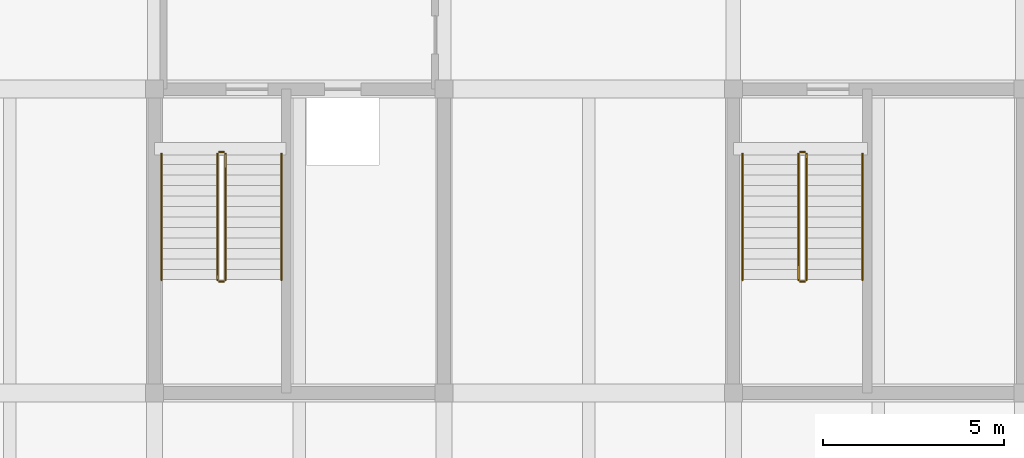
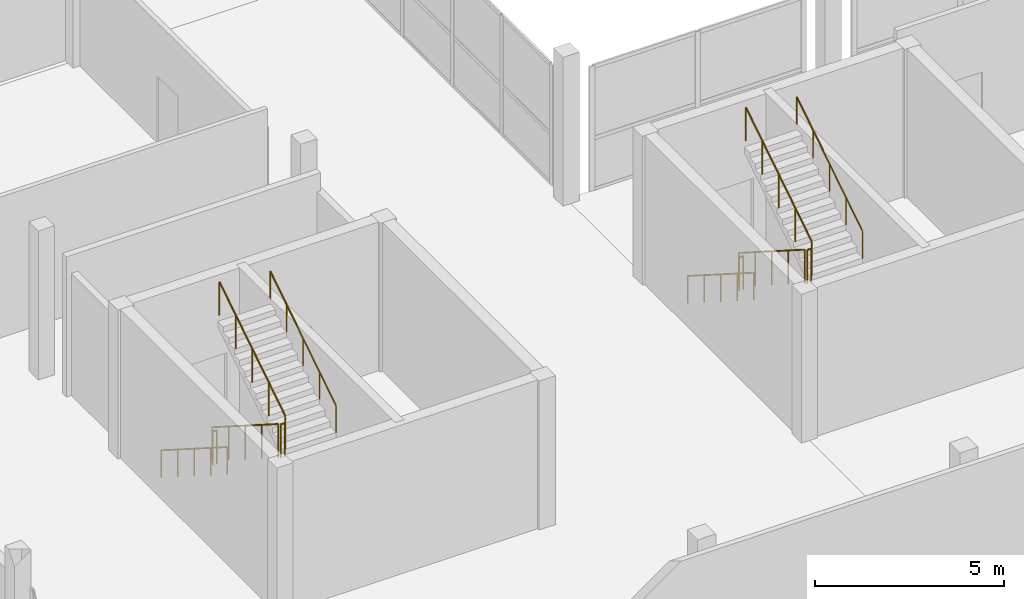
# One storey, part 43 of 47: 12 railings.
"""IFC4 building model written with IfcOpenShell, lengths in metres."""

from ifc_helpers import new_model, si_unit, direction, frame, origin, origin_2d, place, context, subcontext, project, spatial, circle, extrude, material, type_object, element, save


model = new_model("IFC4")

# Units and contexts
model_context = context("Model", 3, precision=1e-05, world=origin(), true_north=direction((0.0, 1.0)))
body_context = subcontext(model_context, "Body", "Model", "MODEL_VIEW")
ifc_project = project(units=[si_unit("LENGTHUNIT", "METRE"), si_unit("AREAUNIT", "SQUARE_METRE"), si_unit("VOLUMEUNIT", "CUBIC_METRE"), si_unit("PLANEANGLEUNIT", "RADIAN"), si_unit("MASSUNIT", "GRAM", prefix="KILO")], contexts=[model_context])

# Site, building, storey
site_placement = place(None, origin())
site = spatial("IfcSite", under=ifc_project, at=site_placement, CompositionType="ELEMENT")
building_placement = place(site_placement, origin())
building = spatial("IfcBuilding", under=site, at=building_placement, Name="Vharandega Faculty of Natural Sciences", CompositionType="ELEMENT")
storey_placement = place(building_placement, frame((0.0, 0.0, 5.39990234375)))
storey = spatial("IfcBuildingStorey", under=building, at=storey_placement, Name="L01", CompositionType="ELEMENT", Elevation=5.39990234375)

# Railings
ifc_material_1 = material(Name="Brushed stainless steel handrail", Category="steel")
railing_type_1 = type_object("IfcRailingType", Name="Stair Tubular Handrail 900", PredefinedType="HANDRAIL", material=ifc_material_1)
railing_1_placement = place(storey_placement, frame((8.18994140625, 79.010009765625, 0.184814453125)))
element("IfcRailing", 1, at=railing_1_placement, inside=storey, type_object=railing_type_1, Name="L01 ST4 stair handrail 1", PredefinedType="HANDRAIL", context=body_context, shape_type="SweptSolid", body=[
    extrude(circle(Radius=0.02392578125, at=origin_2d()), frame((0.0, 0.0, 0.8759765625), z_axis=(0.0, -0.843573748531, 0.537013343214), x_axis=(1.0, 0.0, 0.0)), (0.0, 0.0, 1.0), 4.125244140625),
    extrude(circle(Radius=0.02099609375, at=origin_2d()), origin(), (0.0, 0.0, 1.0), 0.851806640625),
    extrude(circle(Radius=0.02099609375, at=origin_2d()), frame((0.0, -0.8701171875, 0.5537109375)), (0.0, 0.0, 1.0), 0.851806640625),
    extrude(circle(Radius=0.02099609375, at=origin_2d()), frame((0.0, -1.739990234375, 1.107666015625)), (0.0, 0.0, 1.0), 0.851806640625),
    extrude(circle(Radius=0.02099609375, at=origin_2d()), frame((0.0, -2.60986328125, 1.66162109375)), (0.0, 0.0, 1.0), 0.851806640625),
    extrude(circle(Radius=0.02099609375, at=origin_2d()), frame((0.0, -3.47998046875, 2.21533203125)), (0.0, 0.0, 1.0), 0.851806640625),
])
railing_2_placement = place(storey_placement, frame((11.510009765625, 75.530029296875, 2.584716796875)))
element("IfcRailing", 2, at=railing_2_placement, inside=storey, type_object=railing_type_1, Name="L01 ST4 stair handrail 2", PredefinedType="HANDRAIL", context=body_context, shape_type="SweptSolid", body=[
    extrude(circle(Radius=0.02392578125, at=origin_2d()), frame((0.0, 0.0, 0.8759765625), z_axis=(0.0, 0.843573748531, 0.537013343214), x_axis=(-1.0, 0.0, 0.0)), (0.0, 0.0, 1.0), 4.125244140625),
    extrude(circle(Radius=0.02099609375, at=origin_2d()), origin(), (0.0, 0.0, 1.0), 0.851806640625),
    extrude(circle(Radius=0.02099609375, at=origin_2d()), frame((0.0, 0.8701171875, 0.5537109375)), (0.0, 0.0, 1.0), 0.851806640625),
    extrude(circle(Radius=0.02099609375, at=origin_2d()), frame((0.0, 1.739990234375, 1.107666015625)), (0.0, 0.0, 1.0), 0.851806640625),
    extrude(circle(Radius=0.02099609375, at=origin_2d()), frame((0.0, 2.60986328125, 1.66162109375)), (0.0, 0.0, 1.0), 0.851806640625),
    extrude(circle(Radius=0.02099609375, at=origin_2d()), frame((0.0, 3.47998046875, 2.21533203125)), (0.0, 0.0, 1.0), 0.851806640625),
])
railing_3_placement = place(storey_placement, frame((24.25, 79.010009765625, 0.184814453125)))
element("IfcRailing", 3, at=railing_3_placement, inside=storey, type_object=railing_type_1, Name="L01 ST6 stair handrail 1", PredefinedType="HANDRAIL", context=body_context, shape_type="SweptSolid", body=[
    extrude(circle(Radius=0.02392578125, at=origin_2d()), frame((0.0, 0.0, 0.8759765625), z_axis=(0.0, -0.843573748531, 0.537013343214), x_axis=(1.0, 0.0, 0.0)), (0.0, 0.0, 1.0), 4.125244140625),
    extrude(circle(Radius=0.02099609375, at=origin_2d()), origin(), (0.0, 0.0, 1.0), 0.851806640625),
    extrude(circle(Radius=0.02099609375, at=origin_2d()), frame((0.0, -0.8701171875, 0.5537109375)), (0.0, 0.0, 1.0), 0.851806640625),
    extrude(circle(Radius=0.02099609375, at=origin_2d()), frame((0.0, -1.739990234375, 1.107666015625)), (0.0, 0.0, 1.0), 0.851806640625),
    extrude(circle(Radius=0.02099609375, at=origin_2d()), frame((0.0, -2.60986328125, 1.66162109375)), (0.0, 0.0, 1.0), 0.851806640625),
    extrude(circle(Radius=0.02099609375, at=origin_2d()), frame((0.0, -3.47998046875, 2.21533203125)), (0.0, 0.0, 1.0), 0.851806640625),
])
railing_4_placement = place(storey_placement, frame((27.570068359375, 75.530029296875, 2.584716796875)))
element("IfcRailing", 4, at=railing_4_placement, inside=storey, type_object=railing_type_1, Name="L01 ST6 stair handrail 2", PredefinedType="HANDRAIL", context=body_context, shape_type="SweptSolid", body=[
    extrude(circle(Radius=0.02392578125, at=origin_2d()), frame((0.0, 0.0, 0.8759765625), z_axis=(0.0, 0.843573748531, 0.537013343214), x_axis=(-1.0, 0.0, 0.0)), (0.0, 0.0, 1.0), 4.125244140625),
    extrude(circle(Radius=0.02099609375, at=origin_2d()), origin(), (0.0, 0.0, 1.0), 0.851806640625),
    extrude(circle(Radius=0.02099609375, at=origin_2d()), frame((0.0, 0.8701171875, 0.5537109375)), (0.0, 0.0, 1.0), 0.851806640625),
    extrude(circle(Radius=0.02099609375, at=origin_2d()), frame((0.0, 1.739990234375, 1.107666015625)), (0.0, 0.0, 1.0), 0.851806640625),
    extrude(circle(Radius=0.02099609375, at=origin_2d()), frame((0.0, 2.60986328125, 1.66162109375)), (0.0, 0.0, 1.0), 0.851806640625),
    extrude(circle(Radius=0.02099609375, at=origin_2d()), frame((0.0, 3.47998046875, 2.21533203125)), (0.0, 0.0, 1.0), 0.851806640625),
])
ifc_material_2 = material(Name="Painted steel stair guardrail", Category="steel")
railing_type_2 = type_object("IfcRailingType", Name="Stairwell Steel Guardrail 1100", PredefinedType="GUARDRAIL", material=ifc_material_2)
railing_5_placement = place(storey_placement, frame((9.739990234375, 79.010009765625, 0.184814453125)))
element("IfcRailing", 5, at=railing_5_placement, inside=storey, type_object=railing_type_2, Name="L01 ST4 stair guard 1", PredefinedType="GUARDRAIL", context=body_context, shape_type="SweptSolid", body=[
    extrude(circle(Radius=0.02392578125, at=origin_2d()), frame((0.0, 0.0, 1.076171875), z_axis=(0.0, -0.843573748531, 0.537013343214), x_axis=(1.0, 0.0, 0.0)), (0.0, 0.0, 1.0), 4.125244140625),
    extrude(circle(Radius=0.02099609375, at=origin_2d()), origin(), (0.0, 0.0, 1.0), 1.052001953125),
    extrude(circle(Radius=0.02099609375, at=origin_2d()), frame((0.0, -0.8701171875, 0.5537109375)), (0.0, 0.0, 1.0), 1.052001953125),
    extrude(circle(Radius=0.02099609375, at=origin_2d()), frame((0.0, -1.739990234375, 1.107666015625)), (0.0, 0.0, 1.0), 1.052001953125),
    extrude(circle(Radius=0.02099609375, at=origin_2d()), frame((0.0, -2.60986328125, 1.66162109375)), (0.0, 0.0, 1.0), 1.052001953125),
    extrude(circle(Radius=0.02099609375, at=origin_2d()), frame((0.0, -3.47998046875, 2.21533203125)), (0.0, 0.0, 1.0), 1.052001953125),
])
railing_6_placement = place(storey_placement, frame((9.7900390625, 75.47998046875, 2.400146484375)))
element("IfcRailing", 6, at=railing_6_placement, inside=storey, type_object=railing_type_2, Name="L01 ST4 stair guard 2", PredefinedType="GUARDRAIL", context=body_context, shape_type="SweptSolid", body=[
    extrude(circle(Radius=0.02392578125, at=origin_2d()), frame((0.0, 0.0, 1.076171875), z_axis=(1.0, 0.0, 0.0), x_axis=(0.0, 1.0, 0.0)), (0.0, 0.0, 1.0), 0.119873046875),
    extrude(circle(Radius=0.02099609375, at=origin_2d()), origin(), (0.0, 0.0, 1.0), 1.052001953125),
    extrude(circle(Radius=0.02099609375, at=origin_2d()), frame((0.119873046875, 0.0, 0.0)), (0.0, 0.0, 1.0), 1.052001953125),
])
railing_7_placement = place(storey_placement, frame((9.9599609375, 75.530029296875, 2.584716796875)))
element("IfcRailing", 7, at=railing_7_placement, inside=storey, type_object=railing_type_2, Name="L01 ST4 stair guard 3", PredefinedType="GUARDRAIL", context=body_context, shape_type="SweptSolid", body=[
    extrude(circle(Radius=0.02392578125, at=origin_2d()), frame((0.0, 0.0, 1.076171875), z_axis=(0.0, 0.843573748531, 0.537013343214), x_axis=(-1.0, 0.0, 0.0)), (0.0, 0.0, 1.0), 4.125244140625),
    extrude(circle(Radius=0.02099609375, at=origin_2d()), origin(), (0.0, 0.0, 1.0), 1.052001953125),
    extrude(circle(Radius=0.02099609375, at=origin_2d()), frame((0.0, 0.8701171875, 0.5537109375)), (0.0, 0.0, 1.0), 1.052001953125),
    extrude(circle(Radius=0.02099609375, at=origin_2d()), frame((0.0, 1.739990234375, 1.107666015625)), (0.0, 0.0, 1.0), 1.052001953125),
    extrude(circle(Radius=0.02099609375, at=origin_2d()), frame((0.0, 2.60986328125, 1.66162109375)), (0.0, 0.0, 1.0), 1.052001953125),
    extrude(circle(Radius=0.02099609375, at=origin_2d()), frame((0.0, 3.47998046875, 2.21533203125)), (0.0, 0.0, 1.0), 1.052001953125),
])
railing_8_placement = place(storey_placement, frame((9.7900390625, 79.06005859375, 0.0)))
element("IfcRailing", 8, at=railing_8_placement, inside=storey, type_object=railing_type_2, Name="L01 ST4 stair guard 4", PredefinedType="GUARDRAIL", context=body_context, shape_type="SweptSolid", body=[
    extrude(circle(Radius=0.02392578125, at=origin_2d()), frame((0.0, 0.0, 1.076171875), z_axis=(1.0, 0.0, 0.0), x_axis=(0.0, 1.0, 0.0)), (0.0, 0.0, 1.0), 0.119873046875),
    extrude(circle(Radius=0.02099609375, at=origin_2d()), origin(), (0.0, 0.0, 1.0), 1.052001953125),
    extrude(circle(Radius=0.02099609375, at=origin_2d()), frame((0.119873046875, 0.0, 0.0)), (0.0, 0.0, 1.0), 1.052001953125),
])
railing_9_placement = place(storey_placement, frame((25.800048828125, 79.010009765625, 0.184814453125)))
element("IfcRailing", 9, at=railing_9_placement, inside=storey, type_object=railing_type_2, Name="L01 ST6 stair guard 1", PredefinedType="GUARDRAIL", context=body_context, shape_type="SweptSolid", body=[
    extrude(circle(Radius=0.02392578125, at=origin_2d()), frame((0.0, 0.0, 1.076171875), z_axis=(0.0, -0.843573748531, 0.537013343214), x_axis=(1.0, 0.0, 0.0)), (0.0, 0.0, 1.0), 4.125244140625),
    extrude(circle(Radius=0.02099609375, at=origin_2d()), origin(), (0.0, 0.0, 1.0), 1.052001953125),
    extrude(circle(Radius=0.02099609375, at=origin_2d()), frame((0.0, -0.8701171875, 0.5537109375)), (0.0, 0.0, 1.0), 1.052001953125),
    extrude(circle(Radius=0.02099609375, at=origin_2d()), frame((0.0, -1.739990234375, 1.107666015625)), (0.0, 0.0, 1.0), 1.052001953125),
    extrude(circle(Radius=0.02099609375, at=origin_2d()), frame((0.0, -2.60986328125, 1.66162109375)), (0.0, 0.0, 1.0), 1.052001953125),
    extrude(circle(Radius=0.02099609375, at=origin_2d()), frame((0.0, -3.47998046875, 2.21533203125)), (0.0, 0.0, 1.0), 1.052001953125),
])
railing_10_placement = place(storey_placement, frame((25.85009765625, 75.47998046875, 2.400146484375)))
element("IfcRailing", 10, at=railing_10_placement, inside=storey, type_object=railing_type_2, Name="L01 ST6 stair guard 2", PredefinedType="GUARDRAIL", context=body_context, shape_type="SweptSolid", body=[
    extrude(circle(Radius=0.02392578125, at=origin_2d()), frame((0.0, 0.0, 1.076171875), z_axis=(1.0, 0.0, 0.0), x_axis=(0.0, 1.0, 0.0)), (0.0, 0.0, 1.0), 0.119873046875),
    extrude(circle(Radius=0.02099609375, at=origin_2d()), origin(), (0.0, 0.0, 1.0), 1.052001953125),
    extrude(circle(Radius=0.02099609375, at=origin_2d()), frame((0.119873046875, 0.0, 0.0)), (0.0, 0.0, 1.0), 1.052001953125),
])
railing_11_placement = place(storey_placement, frame((26.02001953125, 75.530029296875, 2.584716796875)))
element("IfcRailing", 11, at=railing_11_placement, inside=storey, type_object=railing_type_2, Name="L01 ST6 stair guard 3", PredefinedType="GUARDRAIL", context=body_context, shape_type="SweptSolid", body=[
    extrude(circle(Radius=0.02392578125, at=origin_2d()), frame((0.0, 0.0, 1.076171875), z_axis=(0.0, 0.843573748531, 0.537013343214), x_axis=(-1.0, 0.0, 0.0)), (0.0, 0.0, 1.0), 4.125244140625),
    extrude(circle(Radius=0.02099609375, at=origin_2d()), origin(), (0.0, 0.0, 1.0), 1.052001953125),
    extrude(circle(Radius=0.02099609375, at=origin_2d()), frame((0.0, 0.8701171875, 0.5537109375)), (0.0, 0.0, 1.0), 1.052001953125),
    extrude(circle(Radius=0.02099609375, at=origin_2d()), frame((0.0, 1.739990234375, 1.107666015625)), (0.0, 0.0, 1.0), 1.052001953125),
    extrude(circle(Radius=0.02099609375, at=origin_2d()), frame((0.0, 2.60986328125, 1.66162109375)), (0.0, 0.0, 1.0), 1.052001953125),
    extrude(circle(Radius=0.02099609375, at=origin_2d()), frame((0.0, 3.47998046875, 2.21533203125)), (0.0, 0.0, 1.0), 1.052001953125),
])
railing_12_placement = place(storey_placement, frame((25.85009765625, 79.06005859375, 0.0)))
element("IfcRailing", 12, at=railing_12_placement, inside=storey, type_object=railing_type_2, Name="L01 ST6 stair guard 4", PredefinedType="GUARDRAIL", context=body_context, shape_type="SweptSolid", body=[
    extrude(circle(Radius=0.02392578125, at=origin_2d()), frame((0.0, 0.0, 1.076171875), z_axis=(1.0, 0.0, 0.0), x_axis=(0.0, 1.0, 0.0)), (0.0, 0.0, 1.0), 0.119873046875),
    extrude(circle(Radius=0.02099609375, at=origin_2d()), origin(), (0.0, 0.0, 1.0), 1.052001953125),
    extrude(circle(Radius=0.02099609375, at=origin_2d()), frame((0.119873046875, 0.0, 0.0)), (0.0, 0.0, 1.0), 1.052001953125),
])

save(model, "model.ifc")
